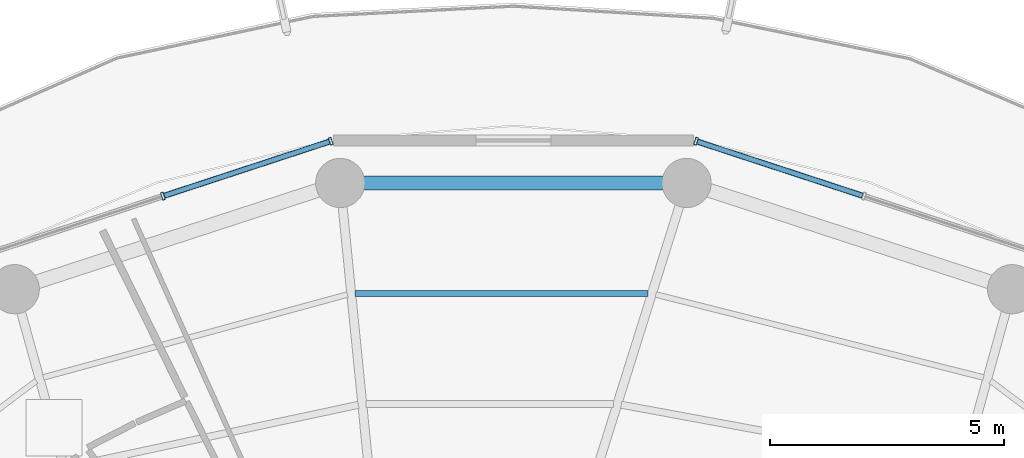
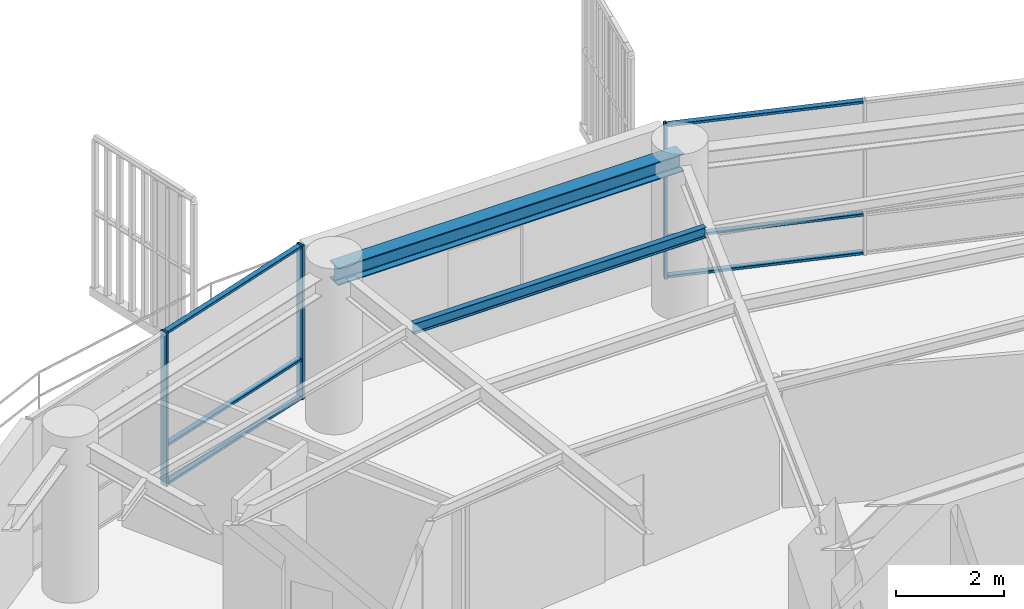
# One storey, part 20 of 31: 9 members, 2 beams, 2 elements without a shape of their own.
"""IFC4 building model written with IfcOpenShell, lengths in metres."""

import ifcopenshell
import ifcopenshell.guid

model = None  # the IFC model being written
_history = None  # IfcOwnerHistory: only IFC2X3 demands one
_inside = {}  # id of a spatial element -> (the spatial element, [elements in it])
_under = {}  # id of a project, library or spatial element -> (it, [spatial elements below it])
_declared = {}  # id of a project -> (the project, [libraries it declares])
_typed = {}  # id of a type object -> (the type object, [elements of that type])
_made_of = {}  # id of a material, layer set ... -> (it, [elements and type objects made of it])


def new_model(schema):
    """Start an empty IFC model of exactly this schema.

    Asked for "IFC4X3", IfcOpenShell would pick the latest addendum, in which some entities
    have other attributes; the version numbers below select the first issue.
    IFC2X3 requires an IfcOwnerHistory on every rooted entity: one is made here for all.
    """
    global model, _history
    if schema == "IFC4X3":
        model = ifcopenshell.file(schema_version=(4, 3, 0, 0))
    else:
        model = ifcopenshell.file(schema=schema)
    _inside.clear()
    _under.clear()
    _declared.clear()
    _typed.clear()
    _made_of.clear()
    _history = None
    if model.schema == "IFC2X3":
        org = make("IfcOrganization", Name="unknown")
        user = make(
            "IfcPersonAndOrganization",
            ThePerson=make("IfcPerson", FamilyName="unknown"),
            TheOrganization=org,
        )
        app = make(
            "IfcApplication",
            ApplicationDeveloper=org,
            Version="unknown",
            ApplicationFullName="unknown",
            ApplicationIdentifier="unknown",
        )
        _history = make(
            "IfcOwnerHistory",
            OwningUser=user,
            OwningApplication=app,
            ChangeAction="ADDED",
            CreationDate=0,
        )
    return model


def make(cls, **values):
    """One entity of the class cls with the attributes given. An attribute that is None is left unset."""
    return model.create_entity(
        cls, **{name: value for name, value in values.items() if value is not None}
    )


def rooted(cls, **values):
    """An entity with a GlobalId (a new one), such as an element, a storey or a relation."""
    return make(cls, GlobalId=ifcopenshell.guid.new(), OwnerHistory=_history, **values)


def si_unit(unit_type, name, prefix=None):
    """IfcSIUnit, for example si_unit("LENGTHUNIT", "METRE", prefix="MILLI")."""
    return make("IfcSIUnit", UnitType=unit_type, Prefix=prefix, Name=name)


def assignment(units):
    """IfcUnitAssignment: the units of a project."""
    return None if units is None else make("IfcUnitAssignment", Units=units)


def point(xyz):
    """IfcCartesianPoint."""
    return None if xyz is None else make("IfcCartesianPoint", Coordinates=xyz)


def direction(xyz):
    """IfcDirection."""
    return None if xyz is None else make("IfcDirection", DirectionRatios=xyz)


def frame(location, z_axis=None, x_axis=None):
    """IfcAxis2Placement3D, a coordinate frame: its origin and axes. An axis left out is left unset."""
    return make(
        "IfcAxis2Placement3D",
        Location=point(location),
        Axis=direction(z_axis),
        RefDirection=direction(x_axis),
    )


def frame_2d(location, x_axis=None):
    """IfcAxis2Placement2D, a coordinate frame in the plane: its origin and x axis."""
    return make(
        "IfcAxis2Placement2D", Location=point(location), RefDirection=direction(x_axis)
    )


def origin():
    """The frame at (0, 0, 0) with its axes left unset."""
    return frame((0.0, 0.0, 0.0))


def origin_2d():
    """The frame at (0, 0) in the plane with its x axis left unset."""
    return frame_2d((0.0, 0.0))


def place(relative_to, where):
    """IfcLocalPlacement: puts the frame where relative to a parent placement (None: the world)."""
    return make(
        "IfcLocalPlacement", PlacementRelTo=relative_to, RelativePlacement=where
    )


def context(
    kind, dimensions, precision=None, world=None, true_north=None, identifier=None
):
    """IfcGeometricRepresentationContext, for example the 3D "Model" context."""
    return make(
        "IfcGeometricRepresentationContext",
        ContextIdentifier=identifier,
        ContextType=kind,
        CoordinateSpaceDimension=dimensions,
        Precision=precision,
        WorldCoordinateSystem=world,
        TrueNorth=true_north,
    )


def subcontext(parent, identifier, kind, view, scale=None):
    """IfcGeometricRepresentationSubContext, for example "Body" below "Model"."""
    return make(
        "IfcGeometricRepresentationSubContext",
        ContextIdentifier=identifier,
        ContextType=kind,
        ParentContext=parent,
        TargetScale=scale,
        TargetView=view,
    )


def project(units=None, contexts=None):
    """IfcProject with its units and contexts."""
    return rooted(
        "IfcProject",
        Name="project",
        RepresentationContexts=contexts,
        UnitsInContext=assignment(units),
    )


def spatial(cls, under=None, at=None, **own):
    """A site, building, storey or space (cls), placed at a placement, below another one or the project."""
    s = rooted(cls, ObjectPlacement=at, **own)
    if under is not None:
        _under.setdefault(under.id(), (under, []))[1].append(s)
    return s


def profile(cls, at=None, kind="AREA", **sizes):
    """A parametric profile (cls). Its sizes go by their IFC names, for example OverallWidth=200.0."""
    return make(cls, ProfileType=kind, Position=at, **sizes)


def hollow_rectangle(**sizes):
    """IfcRectangleHollowProfileDef."""
    return profile("IfcRectangleHollowProfileDef", **sizes)


def i_section(**sizes):
    """IfcIShapeProfileDef."""
    return profile("IfcIShapeProfileDef", **sizes)


def extrude(swept, where, along, depth):
    """IfcExtrudedAreaSolid: the profile swept, set in the frame where, extruded along a direction by depth."""
    return make(
        "IfcExtrudedAreaSolid",
        SweptArea=swept,
        Position=where,
        ExtrudedDirection=direction(along),
        Depth=depth,
    )


def shape(context_of_items, identifier, shape_type, items):
    """IfcShapeRepresentation: the items that make up one representation, for example the "Body"."""
    return make(
        "IfcShapeRepresentation",
        ContextOfItems=context_of_items,
        RepresentationIdentifier=identifier,
        RepresentationType=shape_type,
        Items=items,
    )


def material(Name=None, Category=None):
    """IfcMaterial."""
    return make("IfcMaterial", Name=Name, Category=Category)


def layer(
    of_material, thickness, ventilated=None, Name=None, Category=None, Priority=None
):
    """IfcMaterialLayer: one layer of a wall or slab, of a material (None: an air gap)."""
    return make(
        "IfcMaterialLayer",
        Material=of_material,
        LayerThickness=thickness,
        IsVentilated=ventilated,
        Name=Name,
        Category=Category,
        Priority=Priority,
    )


def layer_set(layers, Name=None):
    """IfcMaterialLayerSet."""
    return make("IfcMaterialLayerSet", MaterialLayers=layers, LayerSetName=Name)


def material_profile(
    of_material, cross_section, Name=None, Category=None, Priority=None
):
    """IfcMaterialProfile: a cross section and its material."""
    return make(
        "IfcMaterialProfile",
        Name=Name,
        Material=of_material,
        Profile=cross_section,
        Priority=Priority,
        Category=Category,
    )


def profile_set(profiles, Name=None, composite=None):
    """IfcMaterialProfileSet."""
    return make(
        "IfcMaterialProfileSet",
        Name=Name,
        MaterialProfiles=profiles,
        CompositeProfile=composite,
    )


def made_of(thing, what):
    """Note that an element or type object is made of a material, layer set ...; save() writes the relation."""
    if what is not None:
        _made_of.setdefault(what.id(), (what, []))[1].append(thing)
    return thing


def type_object(cls, material=None, **own):
    """A type object (cls), such as IfcWallType, which elements share."""
    return made_of(rooted(cls, **own), material)


def element(
    cls,
    number,
    at=None,
    inside=None,
    cuts=None,
    type_object=None,
    material=None,
    context=None,
    identifier="Body",
    shape_type=None,
    held_by="IfcProductDefinitionShape",
    body=None,
    shapes=None,
    **own,
):
    """One element of the class cls, such as IfcWall. Its Tag is "e" and its number.

    at: its placement. inside: the storey or other place that contains it. cuts: it is an
    opening in that element (IfcRelVoidsElement). A single representation is given by context,
    identifier, shape_type and body (its items); several are given by shapes. held_by: the class
    of the entity that holds the representations. save() writes the other relations.
    """
    e = rooted(cls, Tag="e%d" % number, ObjectPlacement=at, **own)
    if body is not None:
        shapes = [shape(context, identifier, shape_type, body)]
    if shapes is not None:
        e.Representation = make(held_by, Representations=shapes)
    if inside is not None:
        _inside.setdefault(inside.id(), (inside, []))[1].append(e)
    if cuts is not None:
        rooted(
            "IfcRelVoidsElement", RelatingBuildingElement=cuts, RelatedOpeningElement=e
        )
    if type_object is not None:
        _typed.setdefault(type_object.id(), (type_object, []))[1].append(e)
    return made_of(e, material)


def aggregate(whole, parts):
    """IfcRelAggregates: a whole, such as a stair, and the parts it consists of."""
    return rooted("IfcRelAggregates", RelatingObject=whole, RelatedObjects=parts)


def save(model, path):
    """Write the relations noted so far, then the file.

    IfcRelAggregates (storeys below a building ...), IfcRelContainedInSpatialStructure (elements
    in a storey), IfcRelDefinesByType, IfcRelAssociatesMaterial and IfcRelDeclares: one each for
    every whole, place, type object, material and project.
    """
    for whole, parts in _under.values():
        aggregate(whole, parts)
    for where, things in _inside.values():
        rooted(
            "IfcRelContainedInSpatialStructure",
            RelatedElements=things,
            RelatingStructure=where,
        )
    for kind, things in _typed.values():
        rooted("IfcRelDefinesByType", RelatedObjects=things, RelatingType=kind)
    for what, things in _made_of.values():
        rooted("IfcRelAssociatesMaterial", RelatedObjects=things, RelatingMaterial=what)
    for by, libraries in _declared.values():
        rooted("IfcRelDeclares", RelatingContext=by, RelatedDefinitions=libraries)
    model.write(path)


model = new_model("IFC4")

# Units and contexts
model_context = context("Model", 3, precision=1e-05, world=origin(), true_north=direction((0.0, 1.0)))
body_context = subcontext(model_context, "Body", "Model", "MODEL_VIEW")
ifc_project = project(units=[si_unit("LENGTHUNIT", "METRE"), si_unit("AREAUNIT", "SQUARE_METRE"), si_unit("VOLUMEUNIT", "CUBIC_METRE"), si_unit("PLANEANGLEUNIT", "RADIAN"), si_unit("MASSUNIT", "GRAM", prefix="KILO")], contexts=[model_context])

# Site, building, storey
site_placement = place(None, origin())
site = spatial("IfcSite", under=ifc_project, at=site_placement, CompositionType="ELEMENT")
building_placement = place(site_placement, origin())
building = spatial("IfcBuilding", under=site, at=building_placement, Name="Kelanora Arch Commons", CompositionType="ELEMENT")
storey_placement = place(building_placement, frame((0.0, 0.0, 219.449951171875)))
storey = spatial("IfcBuildingStorey", under=building, at=storey_placement, Name="L56", CompositionType="ELEMENT", Elevation=219.449951171875)

# Beams
ifc_material_1 = material(Name="Steel S355", Category="steel")
ifc_material_profile_1 = material_profile(ifc_material_1, i_section(OverallWidth=0.1201171875, OverallDepth=0.239990234375, WebThickness=0.006103515625, FlangeThickness=0.009765625, FilletRadius=0.014892578125, at=origin_2d()), Name="IPE240")
ifc_profile_set_1 = profile_set([ifc_material_profile_1], Name="Steel S355")
beam_type_1 = type_object("IfcBeamType", Name="BM-JST-02", PredefinedType="JOIST", material=ifc_profile_set_1)
beam_1_placement = place(storey_placement, frame((76.87109375, 74.43212890625, 3.3701171875), z_axis=(-1.0, 0.0, 0.0), x_axis=(0.0, -1.0, 0.0)))
element("IfcBeam", 1, at=beam_1_placement, inside=storey, type_object=beam_type_1, Name="Secondary Chord Joist BJC-08 L56", PredefinedType="JOIST", context=body_context, shape_type="SweptSolid", body=[
    extrude(i_section(OverallWidth=0.1201171875, OverallDepth=0.239990234375, WebThickness=0.006103515625, FlangeThickness=0.009765625, FilletRadius=0.014892578125, at=origin_2d()), origin(), (0.0, 0.0, 1.0), 6.246337890625),
])
ifc_material_profile_2 = material_profile(ifc_material_1, i_section(OverallWidth=0.300048828125, OverallDepth=0.39990234375, WebThickness=0.013427734375, FlangeThickness=0.02392578125, FilletRadius=0.027099609375, at=origin_2d()), Name="HEB400")
ifc_profile_set_2 = profile_set([ifc_material_profile_2], Name="Steel S355")
beam_type_2 = type_object("IfcBeamType", Name="BM-SPN-Z4", PredefinedType="SPANDREL", material=ifc_profile_set_2)
beam_2_placement = place(storey_placement, frame((77.6953125, 76.7900390625, 3.2900390625), z_axis=(-1.0, 0.0, 0.0), x_axis=(0.0, -1.0, 0.0)))
element("IfcBeam", 2, at=beam_2_placement, inside=storey, type_object=beam_type_2, Name="Perimeter Spandrel Beam BS-08 L56", PredefinedType="SPANDREL", context=body_context, shape_type="SweptSolid", body=[
    extrude(i_section(OverallWidth=0.300048828125, OverallDepth=0.39990234375, WebThickness=0.013427734375, FlangeThickness=0.02392578125, FilletRadius=0.027099609375, at=origin_2d()), origin(), (0.0, 0.0, 1.0), 7.390625),
])

# Curtain wall, member
ifc_material_2 = material(Name="Terracotta ceramic-fritted low-E glass and aluminium", Category="masonry")
ifc_layer = layer(ifc_material_2, 0.175048828125)
ifc_layer_set = layer_set([ifc_layer], Name="Terracotta ceramic-fritted low-E glass and aluminium")
curtain_wall_type = type_object("IfcCurtainWallType", Name="CW-SYS-02", PredefinedType="NOTDEFINED", material=ifc_layer_set)
curtain_wall_1_placement = place(storey_placement, origin())
curtain_wall_1 = element("IfcCurtainWall", 3, at=curtain_wall_1_placement, inside=storey, type_object=curtain_wall_type, Name="Unitised Curtain Wall L56-B03", PredefinedType="NOTDEFINED")
ifc_material_3 = material(Name="Powder-coated aluminium terracotta", Category="masonry")
ifc_material_profile_3 = material_profile(ifc_material_3, hollow_rectangle(XDim=0.159912109375, YDim=0.06005859375, WallThickness=0.0048828125, InnerFilletRadius=0.0048828125, OuterFilletRadius=0.010009765625, at=origin_2d()), Name="CWM160x60")
ifc_profile_set_3 = profile_set([ifc_material_profile_3], Name="Powder-coated aluminium terracotta")
member_type_1 = type_object("IfcMemberType", Name="CWM-STD", PredefinedType="MULLION", material=ifc_profile_set_3)
member_1_placement = place(storey_placement, frame((77.897705078125, 77.68212890625, 0.0), z_axis=(0.0, 0.0, 1.0), x_axis=(-0.311582439059, -0.950219124029, 0.0)))
member_1 = element("IfcMember", 4, at=member_1_placement, type_object=member_type_1, Name="CW-02 mullion 3", PredefinedType="MULLION", context=body_context, shape_type="SweptSolid", body=[
    extrude(hollow_rectangle(XDim=0.159912109375, YDim=0.06005859375, WallThickness=0.0048828125, InnerFilletRadius=0.0048828125, OuterFilletRadius=0.010009765625, at=origin_2d()), origin(), (0.0, 0.0, 1.0), 3.47509765625),
])

# Curtain wall, members
curtain_wall_2_placement = place(storey_placement, origin())
curtain_wall_2 = element("IfcCurtainWall", 5, at=curtain_wall_2_placement, inside=storey, type_object=curtain_wall_type, Name="Unitised Curtain Wall L56-B05", PredefinedType="NOTDEFINED")
member_2_placement = place(storey_placement, frame((70.102294921875, 77.68212890625, 0.0), z_axis=(0.0, 0.0, 1.0), x_axis=(0.311582439059, -0.950219124029, 0.0)))
member_2 = element("IfcMember", 6, at=member_2_placement, type_object=member_type_1, Name="CW-02 mullion 1", PredefinedType="MULLION", context=body_context, shape_type="SweptSolid", body=[
    extrude(hollow_rectangle(XDim=0.159912109375, YDim=0.06005859375, WallThickness=0.0048828125, InnerFilletRadius=0.0048828125, OuterFilletRadius=0.010009765625, at=origin_2d()), origin(), (0.0, 0.0, 1.0), 3.47509765625),
])
member_3_placement = place(storey_placement, frame((66.5224609375, 76.50830078125, 0.0), z_axis=(0.0, 0.0, 1.0), x_axis=(0.311582439059, -0.950219124029, 0.0)))
member_3 = element("IfcMember", 7, at=member_3_placement, type_object=member_type_1, Name="CW-02 mullion 2", PredefinedType="MULLION", context=body_context, shape_type="SweptSolid", body=[
    extrude(hollow_rectangle(XDim=0.159912109375, YDim=0.06005859375, WallThickness=0.0048828125, InnerFilletRadius=0.0048828125, OuterFilletRadius=0.010009765625, at=origin_2d()), origin(), (0.0, 0.0, 1.0), 3.47509765625),
])

# Member
ifc_material_profile_4 = material_profile(ifc_material_3, hollow_rectangle(XDim=0.1201171875, YDim=0.06005859375, WallThickness=0.0048828125, InnerFilletRadius=0.0048828125, OuterFilletRadius=0.010009765625, at=origin_2d()), Name="CWT120x60")
ifc_profile_set_4 = profile_set([ifc_material_profile_4], Name="Powder-coated aluminium terracotta")
member_type_2 = type_object("IfcMemberType", Name="CWT-STD", PredefinedType="USERDEFINED", material=ifc_profile_set_4)
member_4_placement = place(storey_placement, frame((81.448974609375, 76.517578125, 0.030029296875), z_axis=(-0.950206527055, 0.311620852867, 0.0), x_axis=(-0.311620852867, -0.950206527055, 0.0)))
member_4 = element("IfcMember", 8, at=member_4_placement, type_object=member_type_2, Name="CW-02 transom 2.1", ObjectType="TRANSOM", PredefinedType="USERDEFINED", context=body_context, shape_type="SweptSolid", body=[
    extrude(hollow_rectangle(XDim=0.1201171875, YDim=0.06005859375, WallThickness=0.0048828125, InnerFilletRadius=0.0048828125, OuterFilletRadius=0.010009765625, at=origin_2d()), origin(), (0.0, 0.0, 1.0), 3.707275390625),
])

member_5_placement = place(storey_placement, frame((81.448974609375, 76.517578125, 0.900146484375), z_axis=(-0.950206527055, 0.311620852867, 0.0), x_axis=(-0.311620852867, -0.950206527055, 0.0)))
member_5 = element("IfcMember", 9, at=member_5_placement, type_object=member_type_2, Name="CW-02 transom 2.2", ObjectType="TRANSOM", PredefinedType="USERDEFINED", context=body_context, shape_type="SweptSolid", body=[
    extrude(hollow_rectangle(XDim=0.1201171875, YDim=0.06005859375, WallThickness=0.0048828125, InnerFilletRadius=0.0048828125, OuterFilletRadius=0.010009765625, at=origin_2d()), origin(), (0.0, 0.0, 1.0), 3.707275390625),
])

member_6_placement = place(storey_placement, frame((81.448974609375, 76.517578125, 3.445068359375), z_axis=(-0.950206527055, 0.311620852867, 0.0), x_axis=(-0.311620852867, -0.950206527055, 0.0)))
member_6 = element("IfcMember", 10, at=member_6_placement, type_object=member_type_2, Name="CW-02 transom 2.3", ObjectType="TRANSOM", PredefinedType="USERDEFINED", context=body_context, shape_type="SweptSolid", body=[
    extrude(hollow_rectangle(XDim=0.1201171875, YDim=0.06005859375, WallThickness=0.0048828125, InnerFilletRadius=0.0048828125, OuterFilletRadius=0.010009765625, at=origin_2d()), origin(), (0.0, 0.0, 1.0), 3.707275390625),
])

aggregate(curtain_wall_1, [member_1, member_4, member_5, member_6])

member_7_placement = place(storey_placement, frame((70.07373046875, 77.6728515625, 0.030029296875), z_axis=(-0.950206527055, -0.311620852867, 0.0), x_axis=(0.311620852867, -0.950206527055, 0.0)))
member_7 = element("IfcMember", 11, at=member_7_placement, type_object=member_type_2, Name="CW-02 transom 1.1", ObjectType="TRANSOM", PredefinedType="USERDEFINED", context=body_context, shape_type="SweptSolid", body=[
    extrude(hollow_rectangle(XDim=0.1201171875, YDim=0.06005859375, WallThickness=0.0048828125, InnerFilletRadius=0.0048828125, OuterFilletRadius=0.010009765625, at=origin_2d()), origin(), (0.0, 0.0, 1.0), 3.707275390625),
])

member_8_placement = place(storey_placement, frame((70.07373046875, 77.6728515625, 0.900146484375), z_axis=(-0.950206527055, -0.311620852867, 0.0), x_axis=(0.311620852867, -0.950206527055, 0.0)))
member_8 = element("IfcMember", 12, at=member_8_placement, type_object=member_type_2, Name="CW-02 transom 1.2", ObjectType="TRANSOM", PredefinedType="USERDEFINED", context=body_context, shape_type="SweptSolid", body=[
    extrude(hollow_rectangle(XDim=0.1201171875, YDim=0.06005859375, WallThickness=0.0048828125, InnerFilletRadius=0.0048828125, OuterFilletRadius=0.010009765625, at=origin_2d()), origin(), (0.0, 0.0, 1.0), 3.707275390625),
])

member_9_placement = place(storey_placement, frame((70.07373046875, 77.6728515625, 3.445068359375), z_axis=(-0.950206527055, -0.311620852867, 0.0), x_axis=(0.311620852867, -0.950206527055, 0.0)))
member_9 = element("IfcMember", 13, at=member_9_placement, type_object=member_type_2, Name="CW-02 transom 1.3", ObjectType="TRANSOM", PredefinedType="USERDEFINED", context=body_context, shape_type="SweptSolid", body=[
    extrude(hollow_rectangle(XDim=0.1201171875, YDim=0.06005859375, WallThickness=0.0048828125, InnerFilletRadius=0.0048828125, OuterFilletRadius=0.010009765625, at=origin_2d()), origin(), (0.0, 0.0, 1.0), 3.707275390625),
])

aggregate(curtain_wall_2, [member_2, member_3, member_7, member_8, member_9])

save(model, "model.ifc")
